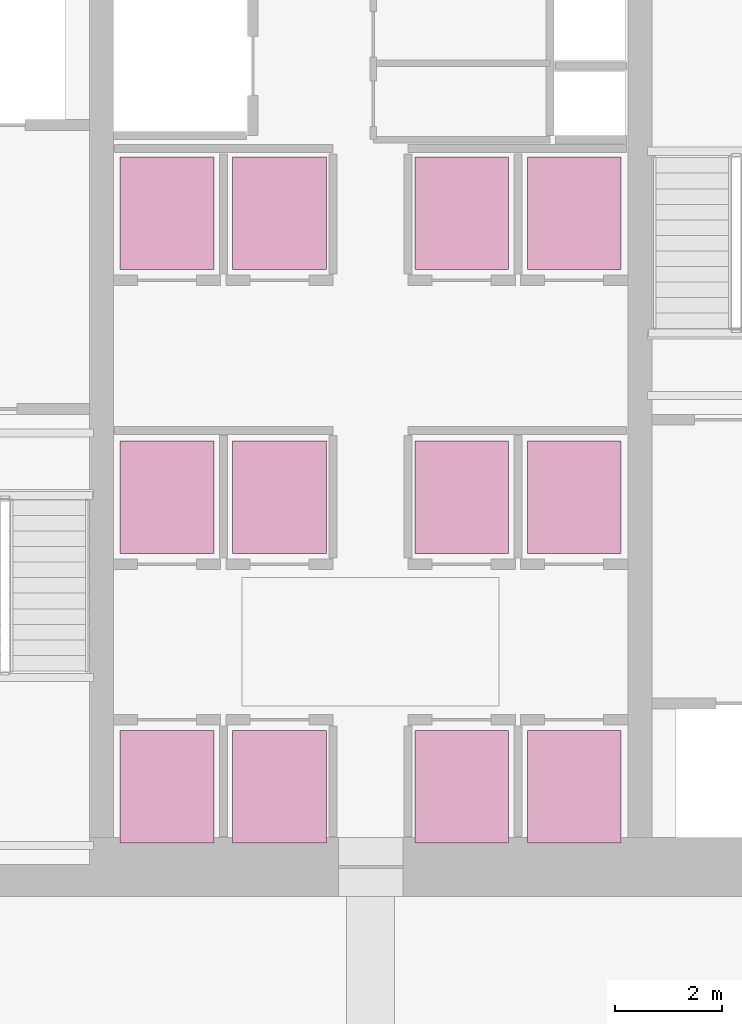
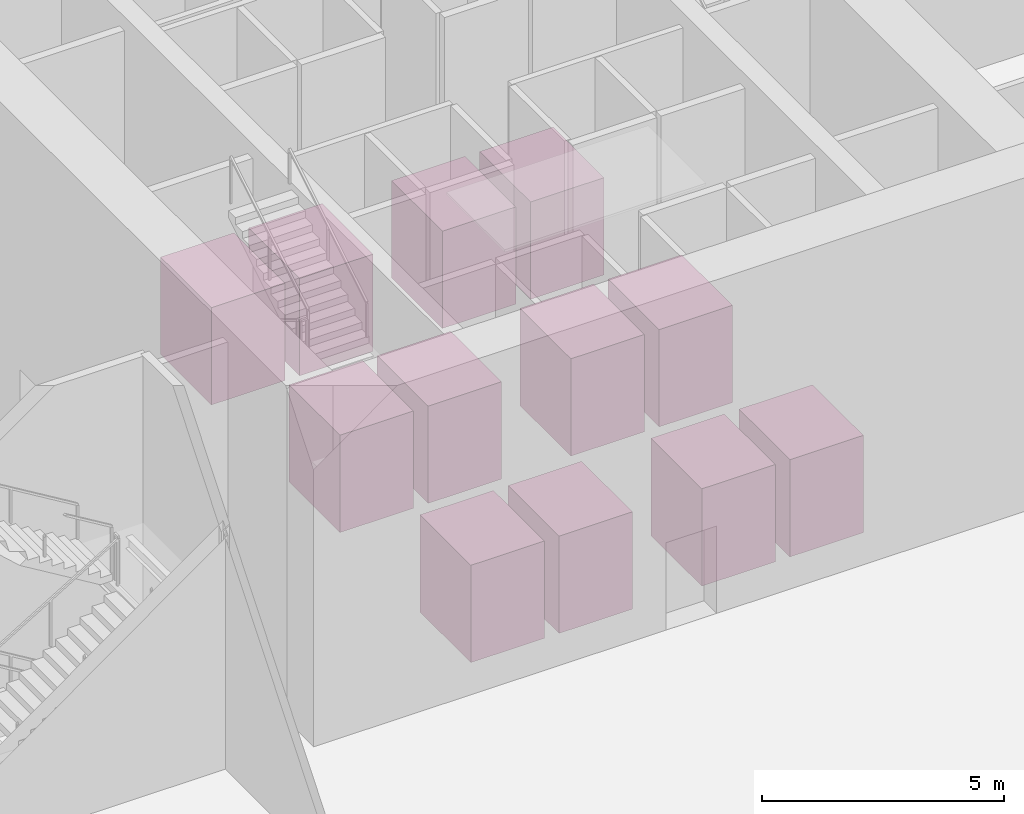
# One storey, part 12 of 12: 12 transport elements.
"""IFC4 building model written with IfcOpenShell, lengths in metres."""

from ifc_helpers import new_model, si_unit, direction, frame, origin, origin_2d, place, context, subcontext, project, spatial, rectangle, extrude, material, type_object, element, save


model = new_model("IFC4")

# Units and contexts
model_context = context("Model", 3, precision=1e-05, world=origin(), true_north=direction((0.0, 1.0)))
body_context = subcontext(model_context, "Body", "Model", "MODEL_VIEW")
ifc_project = project(units=[si_unit("LENGTHUNIT", "METRE"), si_unit("AREAUNIT", "SQUARE_METRE"), si_unit("VOLUMEUNIT", "CUBIC_METRE"), si_unit("PLANEANGLEUNIT", "RADIAN"), si_unit("MASSUNIT", "GRAM", prefix="KILO")], contexts=[model_context])

# Site, building, storey
site_placement = place(None, origin())
site = spatial("IfcSite", under=ifc_project, at=site_placement, CompositionType="ELEMENT")
building_placement = place(site_placement, origin())
building = spatial("IfcBuilding", under=site, at=building_placement, Name="Belovzor Exchange Tower", CompositionType="ELEMENT")
storey_placement = place(building_placement, origin())
storey = spatial("IfcBuildingStorey", under=building, at=storey_placement, Name="L01", CompositionType="ELEMENT", Elevation=0.0)

# Transport elements
ifc_material_1 = material(Name="Brushed Stainless Steel Cab Assembly", Category="steel")
transport_element_type_1 = type_object("IfcTransportElementType", Name="PL-H1 High Lift Car 1750x2100", PredefinedType="ELEVATOR", material=ifc_material_1)
transport_element_1_placement = place(storey_placement, frame((25.0, 32.550048828125, 0.0), z_axis=(0.0, 0.0, 1.0), x_axis=(1.0, 0.0, 0.0)))
element("IfcTransportElement", 1, at=transport_element_1_placement, inside=storey, type_object=transport_element_type_1, Name="PL-H1 PL-H1 High Lift Car 1750x2100", PredefinedType="ELEVATOR", context=body_context, shape_type="SweptSolid", body=[
    extrude(rectangle(XDim=1.75, YDim=2.10009765625, at=origin_2d()), origin(), (0.0, 0.0, 1.0), 2.449951171875),
])
ifc_material_2 = material(Name="Brushed Stainless Steel Cab Assembly", Category="steel")
transport_element_type_2 = type_object("IfcTransportElementType", Name="PL-H2 High Lift Car 1750x2100", PredefinedType="ELEVATOR", material=ifc_material_2)
transport_element_2_placement = place(storey_placement, frame((27.10009765625, 32.550048828125, 0.0), z_axis=(0.0, 0.0, 1.0), x_axis=(1.0, 0.0, 0.0)))
element("IfcTransportElement", 2, at=transport_element_2_placement, inside=storey, type_object=transport_element_type_2, Name="PL-H2 PL-H2 High Lift Car 1750x2100", PredefinedType="ELEVATOR", context=body_context, shape_type="SweptSolid", body=[
    extrude(rectangle(XDim=1.75, YDim=2.10009765625, at=origin_2d()), origin(), (0.0, 0.0, 1.0), 2.449951171875),
])
ifc_material_3 = material(Name="Brushed Stainless Steel Cab Assembly", Category="steel")
transport_element_type_3 = type_object("IfcTransportElementType", Name="PL-H3 High Lift Car 1750x2100", PredefinedType="ELEVATOR", material=ifc_material_3)
transport_element_3_placement = place(storey_placement, frame((30.5, 32.550048828125, 0.0), z_axis=(0.0, 0.0, 1.0), x_axis=(1.0, 0.0, 0.0)))
element("IfcTransportElement", 3, at=transport_element_3_placement, inside=storey, type_object=transport_element_type_3, Name="PL-H3 PL-H3 High Lift Car 1750x2100", PredefinedType="ELEVATOR", context=body_context, shape_type="SweptSolid", body=[
    extrude(rectangle(XDim=1.75, YDim=2.10009765625, at=origin_2d()), origin(), (0.0, 0.0, 1.0), 2.449951171875),
])
ifc_material_4 = material(Name="Brushed Stainless Steel Cab Assembly", Category="steel")
transport_element_type_4 = type_object("IfcTransportElementType", Name="PL-H4 High Lift Car 1750x2100", PredefinedType="ELEVATOR", material=ifc_material_4)
transport_element_4_placement = place(storey_placement, frame((32.60009765625, 32.550048828125, 0.0), z_axis=(0.0, 0.0, 1.0), x_axis=(1.0, 0.0, 0.0)))
element("IfcTransportElement", 4, at=transport_element_4_placement, inside=storey, type_object=transport_element_type_4, Name="PL-H4 PL-H4 High Lift Car 1750x2100", PredefinedType="ELEVATOR", context=body_context, shape_type="SweptSolid", body=[
    extrude(rectangle(XDim=1.75, YDim=2.10009765625, at=origin_2d()), origin(), (0.0, 0.0, 1.0), 2.449951171875),
])
ifc_material_5 = material(Name="Brushed Stainless Steel Cab Assembly", Category="steel")
transport_element_type_5 = type_object("IfcTransportElementType", Name="PL-L1 Low Lift Car 1750x2100", PredefinedType="ELEVATOR", material=ifc_material_5)
transport_element_5_placement = place(storey_placement, frame((25.0, 21.85009765625, 0.0), z_axis=(0.0, 0.0, 1.0), x_axis=(1.0, 0.0, 0.0)))
element("IfcTransportElement", 5, at=transport_element_5_placement, inside=storey, type_object=transport_element_type_5, Name="PL-L1 PL-L1 Low Lift Car 1750x2100", PredefinedType="ELEVATOR", context=body_context, shape_type="SweptSolid", body=[
    extrude(rectangle(XDim=1.75, YDim=2.10009765625, at=origin_2d()), origin(), (0.0, 0.0, 1.0), 2.449951171875),
])
ifc_material_6 = material(Name="Brushed Stainless Steel Cab Assembly", Category="steel")
transport_element_type_6 = type_object("IfcTransportElementType", Name="PL-L2 Low Lift Car 1750x2100", PredefinedType="ELEVATOR", material=ifc_material_6)
transport_element_6_placement = place(storey_placement, frame((27.10009765625, 21.85009765625, 0.0), z_axis=(0.0, 0.0, 1.0), x_axis=(1.0, 0.0, 0.0)))
element("IfcTransportElement", 6, at=transport_element_6_placement, inside=storey, type_object=transport_element_type_6, Name="PL-L2 PL-L2 Low Lift Car 1750x2100", PredefinedType="ELEVATOR", context=body_context, shape_type="SweptSolid", body=[
    extrude(rectangle(XDim=1.75, YDim=2.10009765625, at=origin_2d()), origin(), (0.0, 0.0, 1.0), 2.449951171875),
])
ifc_material_7 = material(Name="Brushed Stainless Steel Cab Assembly", Category="steel")
transport_element_type_7 = type_object("IfcTransportElementType", Name="PL-L3 Low Lift Car 1750x2100", PredefinedType="ELEVATOR", material=ifc_material_7)
transport_element_7_placement = place(storey_placement, frame((30.5, 21.85009765625, 0.0), z_axis=(0.0, 0.0, 1.0), x_axis=(1.0, 0.0, 0.0)))
element("IfcTransportElement", 7, at=transport_element_7_placement, inside=storey, type_object=transport_element_type_7, Name="PL-L3 PL-L3 Low Lift Car 1750x2100", PredefinedType="ELEVATOR", context=body_context, shape_type="SweptSolid", body=[
    extrude(rectangle(XDim=1.75, YDim=2.10009765625, at=origin_2d()), origin(), (0.0, 0.0, 1.0), 2.449951171875),
])
ifc_material_8 = material(Name="Brushed Stainless Steel Cab Assembly", Category="steel")
transport_element_type_8 = type_object("IfcTransportElementType", Name="PL-L4 Low Lift Car 1750x2100", PredefinedType="ELEVATOR", material=ifc_material_8)
transport_element_8_placement = place(storey_placement, frame((32.60009765625, 21.85009765625, 0.0), z_axis=(0.0, 0.0, 1.0), x_axis=(1.0, 0.0, 0.0)))
element("IfcTransportElement", 8, at=transport_element_8_placement, inside=storey, type_object=transport_element_type_8, Name="PL-L4 PL-L4 Low Lift Car 1750x2100", PredefinedType="ELEVATOR", context=body_context, shape_type="SweptSolid", body=[
    extrude(rectangle(XDim=1.75, YDim=2.10009765625, at=origin_2d()), origin(), (0.0, 0.0, 1.0), 2.449951171875),
])
ifc_material_9 = material(Name="Brushed Stainless Steel Cab Assembly", Category="steel")
transport_element_type_9 = type_object("IfcTransportElementType", Name="PL-M1 Mid Lift Car 1750x2100", PredefinedType="ELEVATOR", material=ifc_material_9)
transport_element_9_placement = place(storey_placement, frame((25.0, 27.25, 0.0), z_axis=(0.0, 0.0, 1.0), x_axis=(1.0, 0.0, 0.0)))
element("IfcTransportElement", 9, at=transport_element_9_placement, inside=storey, type_object=transport_element_type_9, Name="PL-M1 PL-M1 Mid Lift Car 1750x2100", PredefinedType="ELEVATOR", context=body_context, shape_type="SweptSolid", body=[
    extrude(rectangle(XDim=1.75, YDim=2.10009765625, at=origin_2d()), origin(), (0.0, 0.0, 1.0), 2.449951171875),
])
ifc_material_10 = material(Name="Brushed Stainless Steel Cab Assembly", Category="steel")
transport_element_type_10 = type_object("IfcTransportElementType", Name="PL-M2 Mid Lift Car 1750x2100", PredefinedType="ELEVATOR", material=ifc_material_10)
transport_element_10_placement = place(storey_placement, frame((27.10009765625, 27.25, 0.0), z_axis=(0.0, 0.0, 1.0), x_axis=(1.0, 0.0, 0.0)))
element("IfcTransportElement", 10, at=transport_element_10_placement, inside=storey, type_object=transport_element_type_10, Name="PL-M2 PL-M2 Mid Lift Car 1750x2100", PredefinedType="ELEVATOR", context=body_context, shape_type="SweptSolid", body=[
    extrude(rectangle(XDim=1.75, YDim=2.10009765625, at=origin_2d()), origin(), (0.0, 0.0, 1.0), 2.449951171875),
])
ifc_material_11 = material(Name="Brushed Stainless Steel Cab Assembly", Category="steel")
transport_element_type_11 = type_object("IfcTransportElementType", Name="PL-M3 Mid Lift Car 1750x2100", PredefinedType="ELEVATOR", material=ifc_material_11)
transport_element_11_placement = place(storey_placement, frame((30.5, 27.25, 0.0), z_axis=(0.0, 0.0, 1.0), x_axis=(1.0, 0.0, 0.0)))
element("IfcTransportElement", 11, at=transport_element_11_placement, inside=storey, type_object=transport_element_type_11, Name="PL-M3 PL-M3 Mid Lift Car 1750x2100", PredefinedType="ELEVATOR", context=body_context, shape_type="SweptSolid", body=[
    extrude(rectangle(XDim=1.75, YDim=2.10009765625, at=origin_2d()), origin(), (0.0, 0.0, 1.0), 2.449951171875),
])
ifc_material_12 = material(Name="Brushed Stainless Steel Cab Assembly", Category="steel")
transport_element_type_12 = type_object("IfcTransportElementType", Name="PL-M4 Mid Lift Car 1750x2100", PredefinedType="ELEVATOR", material=ifc_material_12)
transport_element_12_placement = place(storey_placement, frame((32.60009765625, 27.25, 0.0), z_axis=(0.0, 0.0, 1.0), x_axis=(1.0, 0.0, 0.0)))
element("IfcTransportElement", 12, at=transport_element_12_placement, inside=storey, type_object=transport_element_type_12, Name="PL-M4 PL-M4 Mid Lift Car 1750x2100", PredefinedType="ELEVATOR", context=body_context, shape_type="SweptSolid", body=[
    extrude(rectangle(XDim=1.75, YDim=2.10009765625, at=origin_2d()), origin(), (0.0, 0.0, 1.0), 2.449951171875),
])

save(model, "model.ifc")
